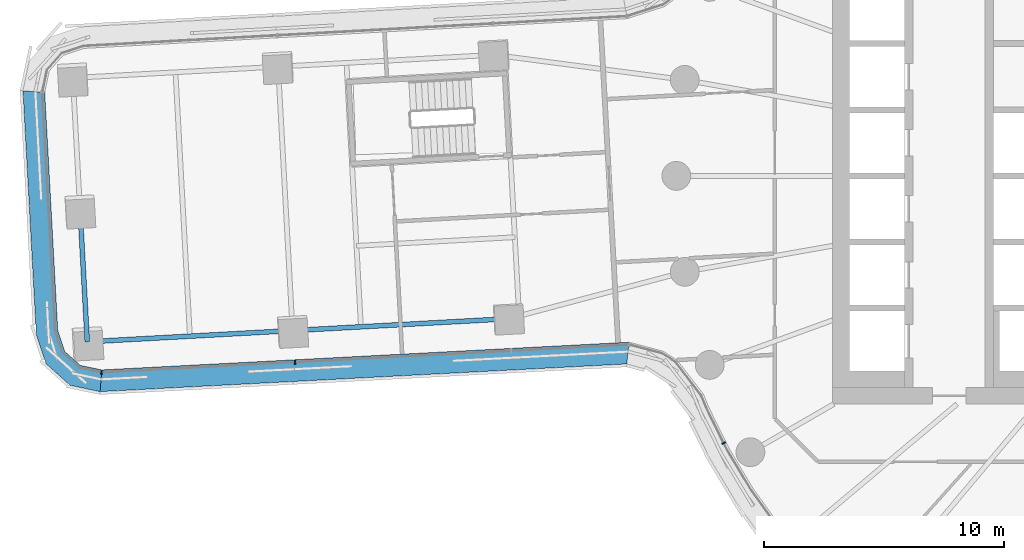
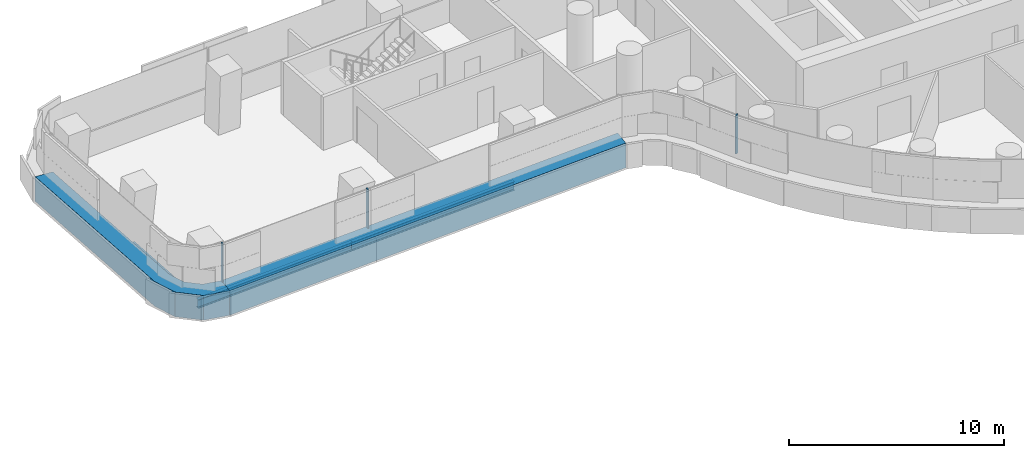
# One storey, part 4 of 31: 5 members, 3 beams, 3 elements without a shape of their own.
"""IFC4 building model written with IfcOpenShell, lengths in metres."""

from ifc_helpers import new_model, si_unit, direction, frame, origin, origin_2d, place, context, subcontext, project, spatial, polyline, rectangle, i_section, outline, extrude, material, layer, layer_set, material_profile, profile_set, type_object, element, aggregate, save


model = new_model("IFC4")

# Units and contexts
model_context = context("Model", 3, precision=1e-05, world=origin(), true_north=direction((0.0, 1.0)))
body_context = subcontext(model_context, "Body", "Model", "MODEL_VIEW")
ifc_project = project(units=[si_unit("LENGTHUNIT", "METRE"), si_unit("AREAUNIT", "SQUARE_METRE"), si_unit("VOLUMEUNIT", "CUBIC_METRE"), si_unit("PLANEANGLEUNIT", "RADIAN"), si_unit("MASSUNIT", "GRAM", prefix="KILO")], contexts=[model_context])

# Site, building, storey
site_placement = place(None, origin())
site = spatial("IfcSite", under=ifc_project, at=site_placement, CompositionType="ELEMENT")
building_placement = place(site_placement, origin())
building = spatial("IfcBuilding", under=site, at=building_placement, Name="Tamarind Cross Interchange Tower", CompositionType="ELEMENT")
storey_placement = place(building_placement, frame((0.0, 0.0, 45.25)))
storey = spatial("IfcBuildingStorey", under=building, at=storey_placement, Name="L09", CompositionType="ELEMENT", Elevation=45.25)

# Beams
ifc_material_1 = material(Name="Steel Q355B", Category="steel")
ifc_material_profile_1 = material_profile(ifc_material_1, i_section(OverallWidth=0.198974609375, OverallDepth=0.49609375, WebThickness=0.009033203125, FlangeThickness=0.013916015625, FilletRadius=0.012939453125, at=origin_2d()), Name="HN 496x199x9x14")
ifc_profile_set_1 = profile_set([ifc_material_profile_1], Name="Steel Q355B")
beam_type_1 = type_object("IfcBeamType", Name="Composite beam HN 496x199x9x14 Q355B", PredefinedType="BEAM", material=ifc_profile_set_1)
beam_1_placement = place(storey_placement, frame((-47.51611328125, -6.905517578125, -0.387939453125), z_axis=(0.998504201723, 0.054675032165, 0.0), x_axis=(-0.054675032165, 0.998504201723, 0.0)))
element("IfcBeam", 1, at=beam_1_placement, inside=storey, type_object=beam_type_1, Name="Beam W-edgeep2", PredefinedType="BEAM", context=body_context, shape_type="SweptSolid", body=[
    extrude(i_section(OverallWidth=0.198974609375, OverallDepth=0.49609375, WebThickness=0.009033203125, FlangeThickness=0.013916015625, FilletRadius=0.012939453125, at=origin_2d()), origin(), (0.0, 0.0, 1.0), 8.555419921875),
])
beam_2_placement = place(storey_placement, frame((-38.973388671875, -6.437744140625, -0.387939453125), z_axis=(0.998503532434, 0.054687253698, 0.0), x_axis=(-0.054687253698, 0.998503532434, 0.0)))
element("IfcBeam", 2, at=beam_2_placement, inside=storey, type_object=beam_type_1, Name="Beam W-edgeep3", PredefinedType="BEAM", context=body_context, shape_type="SweptSolid", body=[
    extrude(i_section(OverallWidth=0.198974609375, OverallDepth=0.49609375, WebThickness=0.009033203125, FlangeThickness=0.013916015625, FilletRadius=0.012939453125, at=origin_2d()), origin(), (0.0, 0.0, 1.0), 9.0),
])
ifc_material_profile_2 = material_profile(ifc_material_1, i_section(OverallWidth=0.199951171875, OverallDepth=0.60009765625, WebThickness=0.010986328125, FlangeThickness=0.01708984375, FilletRadius=0.012939453125, at=origin_2d()), Name="HN 600x200x11x17")
ifc_profile_set_2 = profile_set([ifc_material_profile_2], Name="Steel Q355B")
beam_type_2 = type_object("IfcBeamType", Name="Composite beam HN 600x200x11x17 Q355B", PredefinedType="BEAM", material=ifc_profile_set_2)
beam_3_placement = place(storey_placement, frame((-47.816650390625, -1.413818359375, -0.43994140625), z_axis=(0.054643939165, -0.998505903795, 0.0), x_axis=(0.998505903795, 0.054643939165, 0.0)))
element("IfcBeam", 3, at=beam_3_placement, inside=storey, type_object=beam_type_2, Name="Beam W-tip1", PredefinedType="BEAM", context=body_context, shape_type="SweptSolid", body=[
    extrude(i_section(OverallWidth=0.199951171875, OverallDepth=0.60009765625, WebThickness=0.010986328125, FlangeThickness=0.01708984375, FilletRadius=0.012939453125, at=origin_2d()), origin(), (0.0, 0.0, 1.0), 5.5),
])

# Curtain wall, member
ifc_material_2 = material(Name="Aluminium 6063-T6", Category="aluminium")
ifc_layer = layer(ifc_material_2, 0.159912109375)
ifc_layer_set = layer_set([ifc_layer], Name="Aluminium 6063-T6")
curtain_wall_type = type_object("IfcCurtainWallType", Name="Office curtain wall, 9.0 m bays", PredefinedType="NOTDEFINED", material=ifc_layer_set)
curtain_wall_1_placement = place(storey_placement, origin())
curtain_wall_1 = element("IfcCurtainWall", 4, at=curtain_wall_1_placement, inside=storey, type_object=curtain_wall_type, Name="CWS-L09-00", PredefinedType="NOTDEFINED")
ifc_material_3 = material(Name="Aluminium and insulated spandrel panel", Category="aluminium")
member_type_1 = type_object("IfcMemberType", Name="Floor-edge blade transom", PredefinedType="USERDEFINED", material=ifc_material_3)
member_1_placement = place(storey_placement, origin())
member_1 = element("IfcMember", 5, at=member_1_placement, type_object=member_type_1, Name="CWT-L09-00", ObjectType="TRANSOM", PredefinedType="USERDEFINED", context=body_context, shape_type="SweptSolid", body=[
    extrude(outline(polyline([(-49.2861328125, 3.4736328125), (-48.74365234375, -6.432373046875), (-48.458740234375, -7.30224609375), (-47.8076171875, -7.885986328125), (-46.911376953125, -8.07421875), (-46.9814453125, -8.979248046875), (-48.228515625, -8.71728515625), (-49.239013671875, -7.811767578125), (-49.635986328125, -6.599853515625), (-50.19140625, 3.542724609375), (-49.2861328125, 3.4736328125)])), origin(), (0.0, 0.0, 1.0), 1.39990234375),
])
aggregate(curtain_wall_1, [member_1])

# Curtain wall, members
curtain_wall_2_placement = place(storey_placement, origin())
curtain_wall_2 = element("IfcCurtainWall", 6, at=curtain_wall_2_placement, inside=storey, type_object=curtain_wall_type, Name="CWS-L09-01", PredefinedType="NOTDEFINED")
member_2_placement = place(storey_placement, origin())
member_2 = element("IfcMember", 7, at=member_2_placement, type_object=member_type_1, Name="CWT-L09-01", ObjectType="TRANSOM", PredefinedType="USERDEFINED", context=body_context, shape_type="SweptSolid", body=[
    extrude(outline(polyline([(-46.911376953125, -8.07421875), (-24.969970703125, -6.921142578125), (-25.063720703125, -7.827392578125), (-46.9814453125, -8.979248046875), (-46.911376953125, -8.07421875)])), origin(), (0.0, 0.0, 1.0), 1.39990234375),
])
ifc_material_profile_3 = material_profile(ifc_material_2, rectangle(XDim=0.06005859375, YDim=0.159912109375, at=origin_2d()), Name="Mullion CW1")
ifc_profile_set_3 = profile_set([ifc_material_profile_3], Name="Aluminium 6063-T6")
member_type_2 = type_object("IfcMemberType", Name="Mullion CW1", PredefinedType="MULLION", material=ifc_profile_set_3)
member_3_placement = place(storey_placement, frame((-46.919189453125, -8.1748046875, 1.39990234375), z_axis=(0.0, 0.0, 1.0), x_axis=(0.997014160113, -0.077218938957, 0.0)))
member_3 = element("IfcMember", 8, at=member_3_placement, type_object=member_type_2, Name="CWM-L09-01-00", PredefinedType="MULLION", context=body_context, shape_type="SweptSolid", body=[
    extrude(rectangle(XDim=0.06005859375, YDim=0.159912109375, at=origin_2d()), origin(), (0.0, 0.0, 1.0), 2.210205078125),
])
member_4_placement = place(storey_placement, frame((-38.873046875, -7.751953125, 1.39990234375), z_axis=(0.0, 0.0, 1.0), x_axis=(0.998622085659, 0.052477900426, 0.0)))
member_4 = element("IfcMember", 9, at=member_4_placement, type_object=member_type_2, Name="CWM-L09-01-01", PredefinedType="MULLION", context=body_context, shape_type="SweptSolid", body=[
    extrude(rectangle(XDim=0.06005859375, YDim=0.159912109375, at=origin_2d()), origin(), (0.0, 0.0, 1.0), 2.210205078125),
])
aggregate(curtain_wall_2, [member_3, member_4, member_2])

# Curtain wall, member
curtain_wall_3_placement = place(storey_placement, origin())
curtain_wall_3 = element("IfcCurtainWall", 10, at=curtain_wall_3_placement, inside=storey, type_object=curtain_wall_type, Name="CWS-L09-02", PredefinedType="NOTDEFINED")
member_5_placement = place(storey_placement, frame((-21.025390625, -11.118896484375, 1.39990234375), z_axis=(0.0, 0.0, 1.0), x_axis=(0.443058811505, -0.896492548518, 0.0)))
member_5 = element("IfcMember", 11, at=member_5_placement, type_object=member_type_2, Name="CWM-L09-02-01", PredefinedType="MULLION", context=body_context, shape_type="SweptSolid", body=[
    extrude(rectangle(XDim=0.06005859375, YDim=0.159912109375, at=origin_2d()), origin(), (0.0, 0.0, 1.0), 2.210205078125),
])
aggregate(curtain_wall_3, [member_5])

save(model, "model.ifc")
